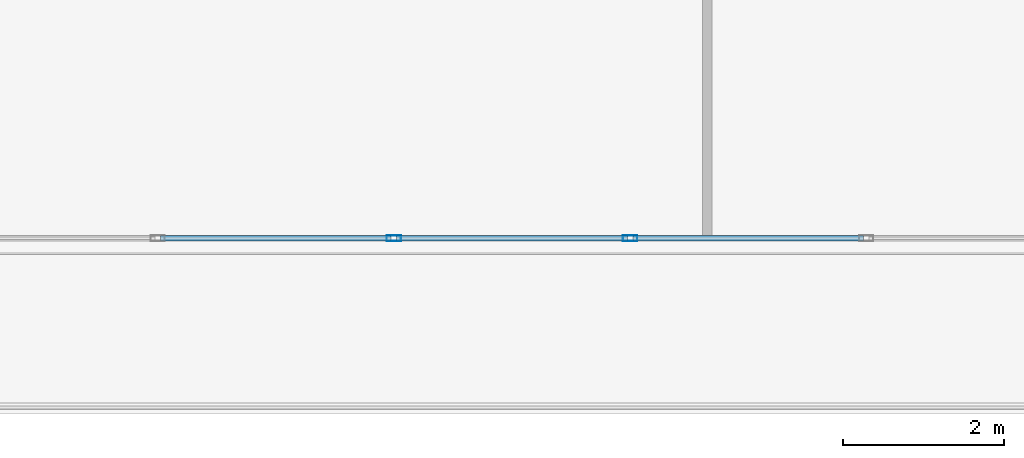
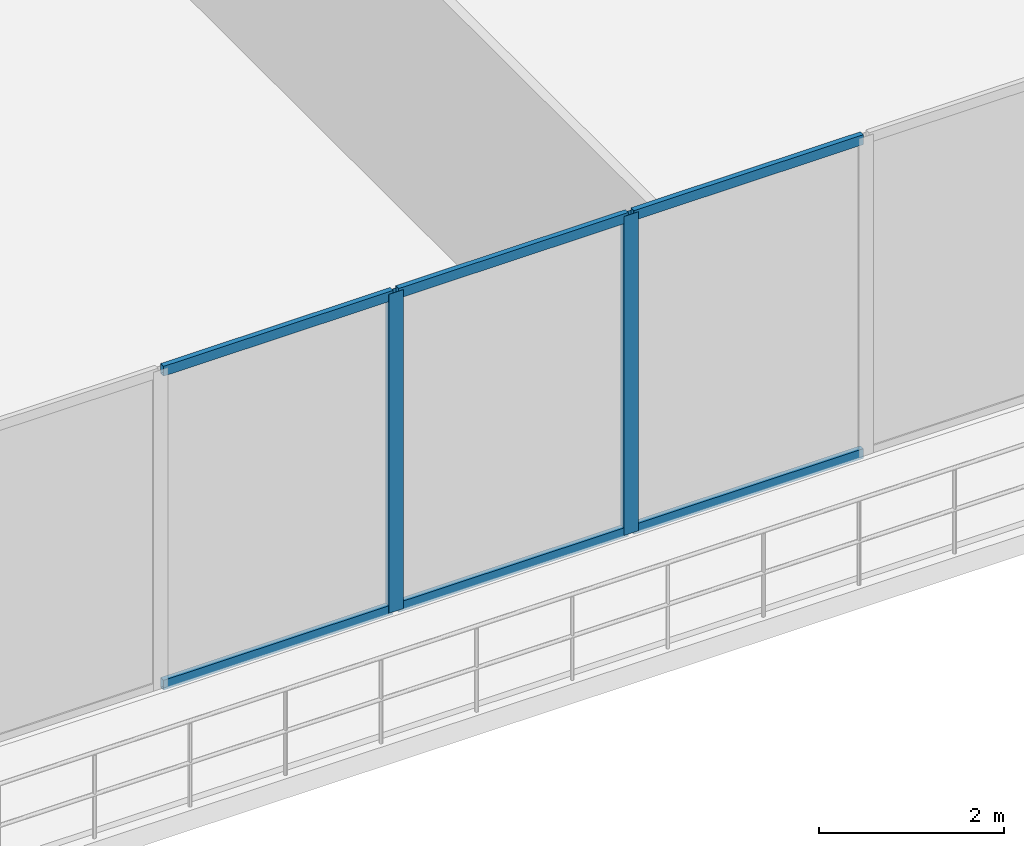
# One storey, part 4 of 31: 8 members, 1 element without a shape of its own.
"""IFC4 building model written with IfcOpenShell, lengths in metres."""

from ifc_helpers import new_model, si_unit, direction, frame, origin, origin_2d, place, context, subcontext, project, spatial, hollow_rectangle, extrude, material, layer, layer_set, material_profile, profile_set, type_object, element, aggregate, save


model = new_model("IFC4")

# Units and contexts
model_context = context("Model", 3, precision=1e-05, world=origin(), true_north=direction((0.0, 1.0)))
body_context = subcontext(model_context, "Body", "Model", "MODEL_VIEW")
ifc_project = project(units=[si_unit("LENGTHUNIT", "METRE"), si_unit("AREAUNIT", "SQUARE_METRE"), si_unit("VOLUMEUNIT", "CUBIC_METRE"), si_unit("PLANEANGLEUNIT", "RADIAN"), si_unit("MASSUNIT", "GRAM", prefix="KILO")], contexts=[model_context])

# Site, building, storey
site_placement = place(None, origin())
site = spatial("IfcSite", under=ifc_project, at=site_placement, CompositionType="ELEMENT")
building_placement = place(site_placement, origin())
building = spatial("IfcBuilding", under=site, at=building_placement, Name="Caelvoria Tower", CompositionType="ELEMENT")
storey_placement = place(building_placement, frame((0.0, 0.0, 9.5)))
storey = spatial("IfcBuildingStorey", under=building, at=storey_placement, Name="L02", CompositionType="ELEMENT", Elevation=9.5)

# Curtain wall, members
ifc_material_1 = material(Name="Anodised Bronze Aluminium and Low-E Glass", Category="aluminium")
ifc_layer = layer(ifc_material_1, 0.199951171875, Name="Anodised Bronze Aluminium and Low-E Glass")
ifc_layer_set = layer_set([ifc_layer], Name="CW System 1 Podium Arcade Unitised Glazing - Anodised Bronze Aluminium and Low-E Glass")
curtain_wall_type = type_object("IfcCurtainWallType", Name="CW System 1 Podium Arcade Unitised Glazing", PredefinedType="NOTDEFINED", material=ifc_layer_set)
curtain_wall_placement = place(storey_placement, origin())
curtain_wall = element("IfcCurtainWall", 1, at=curtain_wall_placement, inside=storey, type_object=curtain_wall_type, Name="CW-01 Curtain Wall L02-E0", PredefinedType="NOTDEFINED")
ifc_material_2 = material(Name="Anodised Bronze Architectural Aluminium", Category="aluminium")
ifc_material_profile_1 = material_profile(ifc_material_2, hollow_rectangle(XDim=0.070068359375, YDim=0.179931640625, WallThickness=0.00390625, at=origin_2d()), Name="Anodised Bronze Architectural Aluminium")
ifc_profile_set_1 = profile_set([ifc_material_profile_1], Name="CW_MULL_70X180 - Anodised Bronze Architectural Aluminium")
member_type_1 = type_object("IfcMemberType", Name="Curtain Wall Mullion 70x180 Bronze Aluminium", PredefinedType="MULLION", material=ifc_profile_set_1)
member_1_placement = place(storey_placement, frame((34.254638671875, 6.3798828125, 0.0), z_axis=(0.0, 0.0, 1.0), x_axis=(0.0, 1.0, 0.0)))
member_1 = element("IfcMember", 2, at=member_1_placement, type_object=member_type_1, Name="CW-01 mullion 8", PredefinedType="MULLION", context=body_context, shape_type="SweptSolid", body=[
    extrude(hollow_rectangle(XDim=0.070068359375, YDim=0.179931640625, WallThickness=0.00390625, at=origin_2d()), origin(), (0.0, 0.0, 1.0), 4.2099609375),
])
member_2_placement = place(storey_placement, frame((37.19091796875, 6.3798828125, 0.0), z_axis=(0.0, 0.0, 1.0), x_axis=(0.0, 1.0, 0.0)))
member_2 = element("IfcMember", 3, at=member_2_placement, type_object=member_type_1, Name="CW-01 mullion 9", PredefinedType="MULLION", context=body_context, shape_type="SweptSolid", body=[
    extrude(hollow_rectangle(XDim=0.070068359375, YDim=0.179931640625, WallThickness=0.00390625, at=origin_2d()), origin(), (0.0, 0.0, 1.0), 4.2099609375),
])
ifc_material_profile_2 = material_profile(ifc_material_2, hollow_rectangle(XDim=0.06494140625, YDim=0.1298828125, WallThickness=0.00341796875, at=origin_2d()), Name="Anodised Bronze Architectural Aluminium")
ifc_profile_set_2 = profile_set([ifc_material_profile_2], Name="CW_TRAN_65X130 - Anodised Bronze Architectural Aluminium")
member_type_2 = type_object("IfcMemberType", Name="Curtain Wall Transom 65x130 Bronze Aluminium", PredefinedType="USERDEFINED", material=ifc_profile_set_2)
member_3_placement = place(storey_placement, frame((31.353271484375, 6.3798828125, 0.032470703125), z_axis=(1.0, 0.0, 0.0), x_axis=(0.0, 1.0, 0.0)))
member_3 = element("IfcMember", 4, at=member_3_placement, type_object=member_type_2, Name="CW-01 transom 7.1", ObjectType="TRANSOM", PredefinedType="USERDEFINED", context=body_context, shape_type="SweptSolid", body=[
    extrude(hollow_rectangle(XDim=0.06494140625, YDim=0.1298828125, WallThickness=0.00341796875, at=origin_2d()), origin(), (0.0, 0.0, 1.0), 2.8662109375),
])
member_4_placement = place(storey_placement, frame((31.353271484375, 6.3798828125, 4.177490234375), z_axis=(1.0, 0.0, 0.0), x_axis=(0.0, 1.0, 0.0)))
member_4 = element("IfcMember", 5, at=member_4_placement, type_object=member_type_2, Name="CW-01 transom 7.2", ObjectType="TRANSOM", PredefinedType="USERDEFINED", context=body_context, shape_type="SweptSolid", body=[
    extrude(hollow_rectangle(XDim=0.06494140625, YDim=0.1298828125, WallThickness=0.00341796875, at=origin_2d()), origin(), (0.0, 0.0, 1.0), 2.8662109375),
])
member_5_placement = place(storey_placement, frame((34.28955078125, 6.3798828125, 0.032470703125), z_axis=(1.0, 0.0, 0.0), x_axis=(0.0, 1.0, 0.0)))
member_5 = element("IfcMember", 6, at=member_5_placement, type_object=member_type_2, Name="CW-01 transom 8.1", ObjectType="TRANSOM", PredefinedType="USERDEFINED", context=body_context, shape_type="SweptSolid", body=[
    extrude(hollow_rectangle(XDim=0.06494140625, YDim=0.1298828125, WallThickness=0.00341796875, at=origin_2d()), origin(), (0.0, 0.0, 1.0), 2.866455078125),
])
member_6_placement = place(storey_placement, frame((34.28955078125, 6.3798828125, 4.177490234375), z_axis=(1.0, 0.0, 0.0), x_axis=(0.0, 1.0, 0.0)))
member_6 = element("IfcMember", 7, at=member_6_placement, type_object=member_type_2, Name="CW-01 transom 8.2", ObjectType="TRANSOM", PredefinedType="USERDEFINED", context=body_context, shape_type="SweptSolid", body=[
    extrude(hollow_rectangle(XDim=0.06494140625, YDim=0.1298828125, WallThickness=0.00341796875, at=origin_2d()), origin(), (0.0, 0.0, 1.0), 2.866455078125),
])
member_7_placement = place(storey_placement, frame((37.225830078125, 6.3798828125, 0.032470703125), z_axis=(1.0, 0.0, 0.0), x_axis=(0.0, 1.0, 0.0)))
member_7 = element("IfcMember", 8, at=member_7_placement, type_object=member_type_2, Name="CW-01 transom 9.1", ObjectType="TRANSOM", PredefinedType="USERDEFINED", context=body_context, shape_type="SweptSolid", body=[
    extrude(hollow_rectangle(XDim=0.06494140625, YDim=0.1298828125, WallThickness=0.00341796875, at=origin_2d()), origin(), (0.0, 0.0, 1.0), 2.866455078125),
])
member_8_placement = place(storey_placement, frame((37.225830078125, 6.3798828125, 4.177490234375), z_axis=(1.0, 0.0, 0.0), x_axis=(0.0, 1.0, 0.0)))
member_8 = element("IfcMember", 9, at=member_8_placement, type_object=member_type_2, Name="CW-01 transom 9.2", ObjectType="TRANSOM", PredefinedType="USERDEFINED", context=body_context, shape_type="SweptSolid", body=[
    extrude(hollow_rectangle(XDim=0.06494140625, YDim=0.1298828125, WallThickness=0.00341796875, at=origin_2d()), origin(), (0.0, 0.0, 1.0), 2.866455078125),
])
aggregate(curtain_wall, [member_1, member_2, member_3, member_4, member_5, member_6, member_7, member_8])

save(model, "model.ifc")
